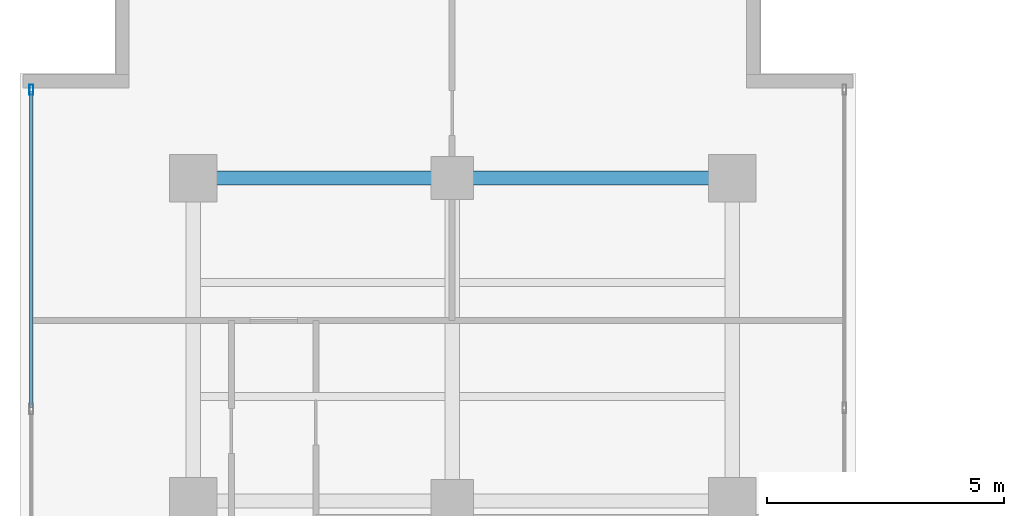
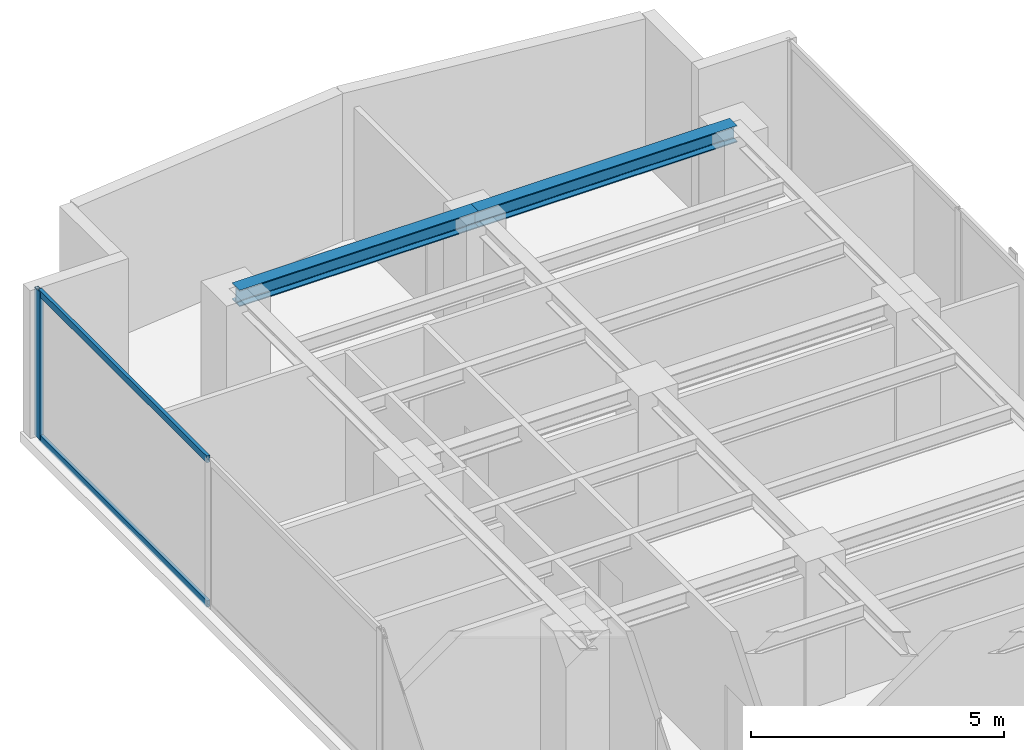
# One storey, part 14 of 24: 3 members, 2 beams, 1 element without a shape of its own.
"""IFC4 building model written with IfcOpenShell, lengths in metres."""

from ifc_helpers import new_model, si_unit, direction, frame, origin, origin_with_axes, origin_2d, place, context, subcontext, project, spatial, hollow_rectangle, i_section, extrude, source, transform, mapped, material, layer, layer_set, material_profile, profile_set, type_object, element, aggregate, save


model = new_model("IFC4")

# Units and contexts
model_context = context("Model", 3, precision=1e-05, world=origin(), true_north=direction((0.0, 1.0)))
body_context = subcontext(model_context, "Body", "Model", "MODEL_VIEW")
ifc_project = project(units=[si_unit("LENGTHUNIT", "METRE"), si_unit("AREAUNIT", "SQUARE_METRE"), si_unit("VOLUMEUNIT", "CUBIC_METRE"), si_unit("PLANEANGLEUNIT", "RADIAN"), si_unit("MASSUNIT", "GRAM", prefix="KILO")], contexts=[model_context])

# Site, building, storey
site_placement = place(None, origin())
site = spatial("IfcSite", under=ifc_project, at=site_placement, CompositionType="ELEMENT")
building_placement = place(site_placement, origin())
building = spatial("IfcBuilding", under=site, at=building_placement, Name="Kolvaren Waterfront Exchange", CompositionType="ELEMENT")
storey_placement = place(building_placement, frame((0.0, 0.0, 238.699951171875)))
storey = spatial("IfcBuildingStorey", under=building, at=storey_placement, Name="L61", CompositionType="ELEMENT", Elevation=238.699951171875)

# Beams
ifc_material_1 = material(Name="Steel S355", Category="steel")
ifc_material_profile_1 = material_profile(ifc_material_1, i_section(OverallWidth=0.300048828125, OverallDepth=0.39990234375, WebThickness=0.013427734375, FlangeThickness=0.02392578125, FilletRadius=0.027099609375, at=origin_2d()), Name="HEB400")
ifc_profile_set_1 = profile_set([ifc_material_profile_1], Name="Steel S355")
beam_type = type_object("IfcBeamType", Name="STR-BM-HEB400", PredefinedType="BEAM", material=ifc_profile_set_1)
beam_1_placement = place(storey_placement, frame((7.449951171875, 44.60009765625, 3.360107421875), z_axis=(1.0, 0.0, 0.0), x_axis=(0.0, 1.0, 0.0)))
element("IfcBeam", 1, at=beam_1_placement, inside=storey, type_object=beam_type, Name="L61 north-arm girder 4A", PredefinedType="BEAM", context=body_context, shape_type="SweptSolid", body=[
    extrude(i_section(OverallWidth=0.300048828125, OverallDepth=0.39990234375, WebThickness=0.013427734375, FlangeThickness=0.02392578125, FilletRadius=0.027099609375, at=origin_2d()), origin(), (0.0, 0.0, 1.0), 5.449951171875),
])
beam_2_placement = place(storey_placement, frame((12.89990234375, 44.60009765625, 3.360107421875), z_axis=(1.0, 0.0, 0.0), x_axis=(0.0, 1.0, 0.0)))
element("IfcBeam", 2, at=beam_2_placement, inside=storey, type_object=beam_type, Name="L61 north-arm girder 4B", PredefinedType="BEAM", context=body_context, shape_type="SweptSolid", body=[
    extrude(i_section(OverallWidth=0.300048828125, OverallDepth=0.39990234375, WebThickness=0.013427734375, FlangeThickness=0.02392578125, FilletRadius=0.027099609375, at=origin_2d()), origin(), (0.0, 0.0, 1.0), 5.900146484375),
])

# Curtain wall, members
ifc_material_2 = material(Name="Anodised aluminium 6063-T6", Category="aluminium")
ifc_layer = layer(ifc_material_2, 0.219970703125, Name="Anodised aluminium 6063-T6")
ifc_layer_set = layer_set([ifc_layer], Name="Anodised aluminium 6063-T6")
curtain_wall_type = type_object("IfcCurtainWallType", Name="ARC-CW-SYS2", PredefinedType="USERDEFINED", material=ifc_layer_set)
curtain_wall_placement = place(storey_placement, origin())
curtain_wall = element("IfcCurtainWall", 3, at=curtain_wall_placement, inside=storey, type_object=curtain_wall_type, Name="L61 stick curtain wall CW2 (CW-L61-W)", ObjectType="STICK CURTAIN WALL", PredefinedType="USERDEFINED")
ifc_material_profile_2 = material_profile(ifc_material_2, hollow_rectangle(XDim=0.080078125, YDim=0.219970703125, WallThickness=0.0048828125, at=origin_2d()), Name="ALU-MUL-220x80x5")
ifc_profile_set_2 = profile_set([ifc_material_profile_2], Name="Anodised aluminium 6063-T6")
member_type_1 = type_object("IfcMemberType", Name="ARC-CWM-220", PredefinedType="MULLION", material=ifc_profile_set_2)
shared_shape_1 = source(origin_with_axes(), body_context, "Body", "SweptSolid", [
    extrude(hollow_rectangle(XDim=0.080078125, YDim=0.219970703125, WallThickness=0.0048828125, at=origin_2d()), origin(), (0.0, 0.0, 1.0), 3.56005859375),
])
member_1_placement = place(storey_placement, frame((4.0400390625, 46.4599609375, 0.0), z_axis=(0.0, 0.0, 1.0), x_axis=(-1.0, 0.0, 0.0)))
member_1 = element("IfcMember", 4, at=member_1_placement, type_object=member_type_1, Name="CW2 mullion 7", PredefinedType="MULLION", context=body_context, shape_type="MappedRepresentation", body=[
    mapped(shared_shape_1, transform((0.0, 0.0, 0.0), x_axis=(1.0, 0.0, 0.0), y_axis=(0.0, 1.0, 0.0), z_axis=(0.0, 0.0, 1.0), scale=1.0)),
])
ifc_material_profile_3 = material_profile(ifc_material_2, hollow_rectangle(XDim=0.074951171875, YDim=0.159912109375, WallThickness=0.00439453125, at=origin_2d()), Name="ALU-TRN-160x75x4.5")
ifc_profile_set_3 = profile_set([ifc_material_profile_3], Name="Anodised aluminium 6063-T6")
member_type_2 = type_object("IfcMemberType", Name="ARC-CWT-160", PredefinedType="USERDEFINED", material=ifc_profile_set_3)
shared_shape_2 = source(origin_with_axes(), body_context, "Body", "SweptSolid", [
    extrude(hollow_rectangle(XDim=0.074951171875, YDim=0.159912109375, WallThickness=0.00439453125, at=origin_2d()), origin(), (0.0, 0.0, 1.0), 6.646484375),
])
member_2_placement = place(storey_placement, frame((4.0400390625, 39.7734375, 0.03759765625), z_axis=(0.0, 1.0, 0.0), x_axis=(-1.0, 0.0, 0.0)))
member_2 = element("IfcMember", 5, at=member_2_placement, type_object=member_type_2, Name="CW2 transom 6.1", ObjectType="TRANSOM", PredefinedType="USERDEFINED", context=body_context, shape_type="MappedRepresentation", body=[
    mapped(shared_shape_2, transform((0.0, 0.0, 0.0), x_axis=(1.0, 0.0, 0.0), y_axis=(0.0, 1.0, 0.0), z_axis=(0.0, 0.0, 1.0), scale=1.0)),
])
member_3_placement = place(storey_placement, frame((4.0400390625, 39.7734375, 3.5224609375), z_axis=(0.0, 1.0, 0.0), x_axis=(-1.0, 0.0, 0.0)))
member_3 = element("IfcMember", 6, at=member_3_placement, type_object=member_type_2, Name="CW2 transom 6.2", ObjectType="TRANSOM", PredefinedType="USERDEFINED", context=body_context, shape_type="MappedRepresentation", body=[
    mapped(shared_shape_2, transform((0.0, 0.0, 0.0), x_axis=(1.0, 0.0, 0.0), y_axis=(0.0, 1.0, 0.0), z_axis=(0.0, 0.0, 1.0), scale=1.0)),
])
aggregate(curtain_wall, [member_1, member_2, member_3])

save(model, "model.ifc")
